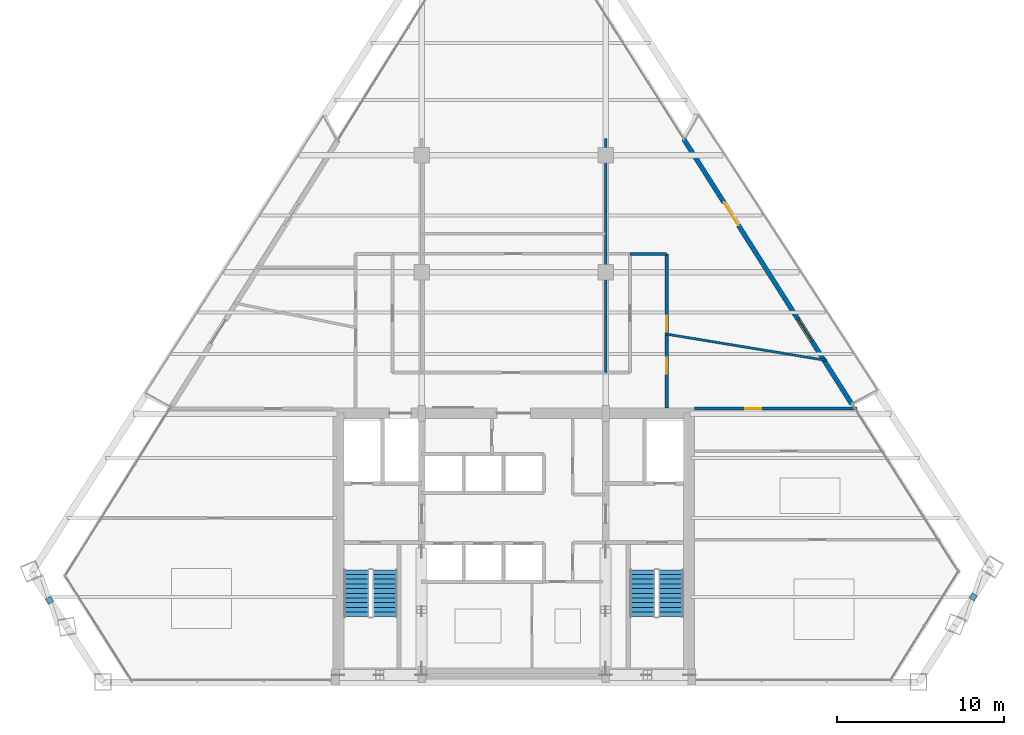
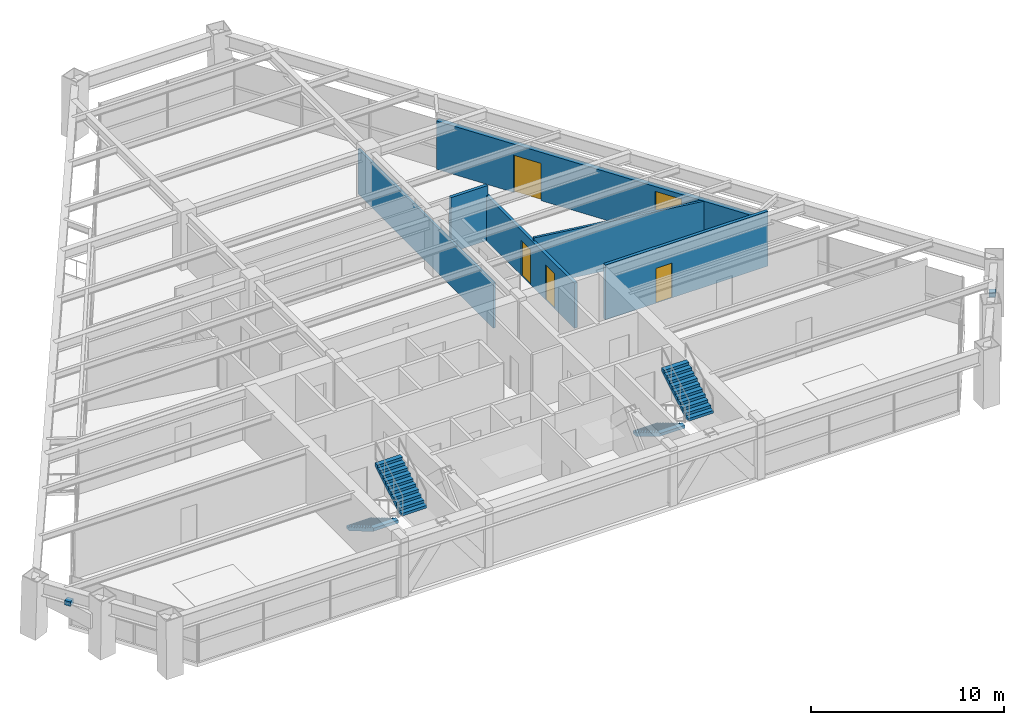
# One storey, part 13 of 15: 6 walls, 4 doors, 4 stair flights, 2 discrete accessories, 1 window, 5 openings, 2 elements without a shape of their own.
"""IFC4 building model written with IfcOpenShell, lengths in metres."""

from ifc_helpers import new_model, si_unit, direction, frame, frame_2d, origin, origin_2d, place, context, subcontext, project, spatial, polyline, rectangle, outline, extrude, source, transform, mapped, material, layer, layer_set, type_object, type_shapes, element, fill, aggregate, save


model = new_model("IFC4")

# Units and contexts
model_context = context("Model", 3, precision=1e-05, world=origin(), true_north=direction((0.0, 1.0)))
body_context = subcontext(model_context, "Body", "Model", "MODEL_VIEW")
ifc_project = project(units=[si_unit("LENGTHUNIT", "METRE"), si_unit("AREAUNIT", "SQUARE_METRE"), si_unit("VOLUMEUNIT", "CUBIC_METRE"), si_unit("PLANEANGLEUNIT", "RADIAN"), si_unit("MASSUNIT", "GRAM", prefix="KILO")], contexts=[model_context])

# Site, building, storey
site_placement = place(None, origin())
site = spatial("IfcSite", under=ifc_project, at=site_placement, CompositionType="ELEMENT")
building_placement = place(site_placement, origin())
building = spatial("IfcBuilding", under=site, at=building_placement, Name="Varnakhor Terracotta Tower", CompositionType="ELEMENT")
storey_placement = place(building_placement, frame((0.0, 0.0, 178.39990234375)))
storey = spatial("IfcBuildingStorey", under=building, at=storey_placement, Name="L45", CompositionType="ELEMENT", Elevation=178.39990234375)

# Wall, openings, doors
ifc_material_1 = material(Name="Fire-Rated Gypsum Stud Partition", Category="gypsum")
ifc_layer_1 = layer(ifc_material_1, 0.18505859375, Name="Fire-Rated Gypsum Stud Partition")
ifc_layer_set_1 = layer_set([ifc_layer_1], Name="Fire-Rated Gypsum Stud Partition")
wall_type_1 = type_object("IfcWallType", Name="WAL-CORR-185", PredefinedType="PARTITIONING", material=ifc_layer_set_1)
wall_1_placement = place(storey_placement, frame((9.14990234375, 16.39990234375, 0.0), z_axis=(0.0, 0.0, 1.0), x_axis=(0.0, 1.0, 0.0)))
wall_1 = element("IfcWall", 1, at=wall_1_placement, inside=storey, type_object=wall_type_1, Name="L45 East Gallery Outer Wall", PredefinedType="PARTITIONING", context=body_context, shape_type="SweptSolid", body=[
    extrude(rectangle(XDim=9.2001953125, YDim=0.18505859375, at=frame_2d((4.60009765625, 0.0))), origin(), (0.0, 0.0, 1.0), 2.84619140625),
])
opening_1_placement = place(wall_1_placement, frame((4.551025390625, 0.0, 0.0)))
opening_1 = element("IfcOpeningElement", 2, at=opening_1_placement, cuts=wall_1, Name="Opening DR-94", PredefinedType="OPENING", context=body_context, shape_type="SweptSolid", body=[
    extrude(rectangle(XDim=0.949951171875, YDim=2.199951171875, at=frame_2d((0.47509765625, 1.10009765625))), frame((0.0, 0.1025390625, 0.0), z_axis=(0.0, -1.0, 0.0), x_axis=(1.0, 0.0, 0.0)), (0.0, 0.0, 1.0), 0.205078125),
])
opening_2_placement = place(wall_1_placement, frame((2.041015625, 0.0, 0.0)))
opening_2 = element("IfcOpeningElement", 3, at=opening_2_placement, cuts=wall_1, Name="Opening DR-94", PredefinedType="OPENING", context=body_context, shape_type="SweptSolid", body=[
    extrude(rectangle(XDim=0.949951171875, YDim=2.199951171875, at=frame_2d((0.47509765625, 1.10009765625))), frame((0.0, 0.1025390625, 0.0), z_axis=(0.0, -1.0, 0.0), x_axis=(1.0, 0.0, 0.0)), (0.0, 0.0, 1.0), 0.205078125),
])
ifc_material_2 = material(Name="Acoustic Glazed-Vision Timber Office Door", Category="wood")
door_type_1 = type_object("IfcDoorType", Name="DR-OFF-950X2200", OperationType="NOTDEFINED", PredefinedType="DOOR", material=ifc_material_2)
shared_shape_1 = source(origin(), body_context, "Body", "SweptSolid", [
    extrude(rectangle(XDim=0.949951171875, YDim=2.199951171875, at=frame_2d((0.47509765625, 1.10009765625))), frame((0.0, 0.02490234375, 0.0), z_axis=(0.0, -1.0, 0.0), x_axis=(1.0, 0.0, 0.0)), (0.0, 0.0, 1.0), 0.050048828125),
])
type_shapes(door_type_1, [shared_shape_1])
door_1_placement = place(opening_1_placement, origin())
door_1 = element("IfcDoor", 4, at=door_1_placement, inside=storey, type_object=door_type_1, Name="L45 East Wing Door", OperationType="SINGLE_SWING_LEFT", OverallHeight=2.199951171875, OverallWidth=0.949951171875, PredefinedType="DOOR", context=body_context, shape_type="MappedRepresentation", body=[
    mapped(shared_shape_1, transform((0.0, 0.0, 0.0), scale=1.0)),
])
fill(opening_1, door_1)
door_2_placement = place(opening_2_placement, origin())
door_2 = element("IfcDoor", 5, at=door_2_placement, inside=storey, type_object=door_type_1, Name="L45 Client Lounge B6 Door", OperationType="SINGLE_SWING_LEFT", OverallHeight=2.199951171875, OverallWidth=0.949951171875, PredefinedType="DOOR", context=body_context, shape_type="MappedRepresentation", body=[
    mapped(shared_shape_1, transform((0.0, 0.0, 0.0), scale=1.0)),
])
fill(opening_2, door_2)

# Wall
wall_2_placement = place(storey_placement, frame((6.949951171875, 25.60009765625, 0.0), z_axis=(0.0, 0.0, 1.0), x_axis=(1.0, 0.0, 0.0)))
element("IfcWall", 6, at=wall_2_placement, inside=storey, type_object=wall_type_1, Name="L45 East Gallery North End", PredefinedType="PARTITIONING", context=body_context, shape_type="SweptSolid", body=[
    extrude(rectangle(XDim=2.199951171875, YDim=0.18505859375, at=frame_2d((1.10009765625, 0.0))), origin(), (0.0, 0.0, 1.0), 3.462158203125),
])

# Wall, opening, door
wall_3_placement = place(storey_placement, frame((10.820068359375, 16.35009765625, 0.0), z_axis=(0.0, 0.0, 1.0), x_axis=(1.0, 0.0, 0.0)))
wall_3 = element("IfcWall", 7, at=wall_3_placement, inside=storey, type_object=wall_type_1, Name="L45 South East Entry Wall", PredefinedType="PARTITIONING", context=body_context, shape_type="SweptSolid", body=[
    extrude(rectangle(XDim=9.71923828125, YDim=0.18505859375, at=frame_2d((4.859619140625, 0.0))), origin(), (0.0, 0.0, 1.0), 3.462158203125),
])
opening_3_placement = place(wall_3_placement, frame((3.02880859375, 0.0, 0.0)))
opening_3 = element("IfcOpeningElement", 8, at=opening_3_placement, cuts=wall_3, Name="Opening DR-94", PredefinedType="OPENING", context=body_context, shape_type="SweptSolid", body=[
    extrude(rectangle(XDim=0.949951171875, YDim=2.199951171875, at=frame_2d((0.47509765625, 1.10009765625))), frame((0.0, 0.1025390625, 0.0), z_axis=(0.0, -1.0, 0.0), x_axis=(1.0, 0.0, 0.0)), (0.0, 0.0, 1.0), 0.205078125),
])
door_3_placement = place(opening_3_placement, origin())
door_3 = element("IfcDoor", 9, at=door_3_placement, inside=storey, type_object=door_type_1, Name="L45 SE Suite Door", OperationType="SINGLE_SWING_LEFT", OverallHeight=2.199951171875, OverallWidth=0.949951171875, PredefinedType="DOOR", context=body_context, shape_type="MappedRepresentation", body=[
    mapped(shared_shape_1, transform((0.0, 0.0, 0.0), scale=1.0)),
])
fill(opening_3, door_3)

# Wall, openings, door, window
ifc_material_3 = material(Name="Extruded Architectural Terracotta Assembly", Category="masonry")
ifc_layer_2 = layer(ifc_material_3, 0.280029296875, Name="Extruded Architectural Terracotta Assembly")
ifc_layer_set_2 = layer_set([ifc_layer_2], Name="Extruded Architectural Terracotta Assembly")
wall_type_2 = type_object("IfcWallType", Name="WAL-EXT-TERRACOTTA-280", PredefinedType="SOLIDWALL", material=ifc_layer_set_2)
wall_4_placement = place(storey_placement, frame((10.16650390625, 32.46337890625, 0.0), z_axis=(0.0, 0.0, 1.0), x_axis=(0.535575528783, -0.844487331444, 0.0)))
wall_4 = element("IfcWall", 10, at=wall_4_placement, inside=storey, type_object=wall_type_2, Name="L45 E Loggia Insulated Terracotta Wall", PredefinedType="SOLIDWALL", context=body_context, shape_type="SweptSolid", body=[
    extrude(rectangle(XDim=18.760009765625, YDim=0.280029296875, at=frame_2d((9.3798828125, 0.0))), origin(), (0.0, 0.0, 1.0), 3.050048828125),
])
opening_4_placement = place(wall_4_placement, frame((4.50244140625, 0.0, 0.0)))
opening_4 = element("IfcOpeningElement", 11, at=opening_4_placement, cuts=wall_4, Name="Opening DR-62", PredefinedType="OPENING", context=body_context, shape_type="SweptSolid", body=[
    extrude(rectangle(XDim=1.60009765625, YDim=2.35009765625, at=frame_2d((0.800048828125, 1.175048828125))), frame((0.0, 0.14990234375, 0.0), z_axis=(0.0, -1.0, 0.0), x_axis=(1.0, 0.0, 0.0)), (0.0, 0.0, 1.0), 0.300048828125),
])
opening_5_placement = place(wall_4_placement, frame((12.7568359375, 0.0, 0.89990234375)))
opening_5 = element("IfcOpeningElement", 12, at=opening_5_placement, cuts=wall_4, Name="Opening WN-57", PredefinedType="OPENING", context=body_context, shape_type="SweptSolid", body=[
    extrude(rectangle(XDim=1.550048828125, YDim=1.85009765625, at=frame_2d((0.77490234375, 0.925048828125))), frame((0.0, 0.14990234375, 0.0), z_axis=(0.0, -1.0, 0.0), x_axis=(1.0, 0.0, 0.0)), (0.0, 0.0, 1.0), 0.300048828125),
])
ifc_material_4 = material(Name="Thermally Broken Sliding Glass Loggia Door", Category="glass")
door_type_2 = type_object("IfcDoorType", Name="DR-EXT-LOGGIA-1600X2350", OperationType="NOTDEFINED", PredefinedType="DOOR", material=ifc_material_4)
shared_shape_2 = source(origin(), body_context, "Body", "SweptSolid", [
    extrude(rectangle(XDim=1.60009765625, YDim=2.35009765625, at=frame_2d((0.800048828125, 1.175048828125))), frame((0.0, 0.02490234375, 0.0), z_axis=(0.0, -1.0, 0.0), x_axis=(1.0, 0.0, 0.0)), (0.0, 0.0, 1.0), 0.050048828125),
])
type_shapes(door_type_2, [shared_shape_2])
door_4_placement = place(opening_4_placement, origin())
door_4 = element("IfcDoor", 13, at=door_4_placement, inside=storey, type_object=door_type_2, Name="L45 E Recessed Loggia Sliding Door", OperationType="SLIDING_TO_RIGHT", OverallHeight=2.35009765625, OverallWidth=1.60009765625, PredefinedType="DOOR", context=body_context, shape_type="MappedRepresentation", body=[
    mapped(shared_shape_2, transform((0.0, 0.0, 0.0), scale=1.0)),
])
fill(opening_4, door_4)
ifc_material_5 = material(Name="Solar-Control Low-E Insulated Glass Unit", Category="glass")
window_type = type_object("IfcWindowType", Name="WIN-OFF-1650X2100", PartitioningType="SINGLE_PANEL", PredefinedType="WINDOW", material=ifc_material_5)
shared_shape_3 = source(origin(), body_context, "Body", "SweptSolid", [
    extrude(rectangle(XDim=1.550048828125, YDim=1.85009765625, at=frame_2d((0.77490234375, 0.925048828125))), frame((0.0, 0.030029296875, 0.0), z_axis=(0.0, -1.0, 0.0), x_axis=(1.0, 0.0, 0.0)), (0.0, 0.0, 1.0), 0.06005859375),
])
type_shapes(window_type, [shared_shape_3])
window_placement = place(opening_5_placement, origin())
window = element("IfcWindow", 14, at=window_placement, inside=storey, type_object=window_type, Name="L45 E Facet Punched Window", OverallHeight=1.85009765625, OverallWidth=1.550048828125, PartitioningType="SINGLE_PANEL", PredefinedType="WINDOW", context=body_context, shape_type="MappedRepresentation", body=[
    mapped(shared_shape_3, transform((0.0, 0.0, 0.0), scale=1.0)),
])
fill(opening_5, window)

# Walls
ifc_material_6 = material(Name="Acoustic Metal-Stud Partition", Category="gypsum")
ifc_layer_3 = layer(ifc_material_6, 0.139892578125, Name="Acoustic Metal-Stud Partition")
ifc_layer_set_3 = layer_set([ifc_layer_3], Name="Acoustic Metal-Stud Partition")
wall_type_3 = type_object("IfcWallType", Name="WAL-PART-140", PredefinedType="PARTITIONING", material=ifc_layer_set_3)
wall_5_placement = place(storey_placement, frame((5.5, 18.5, 0.0), z_axis=(0.0, 0.0, 1.0), x_axis=(0.0, 1.0, 0.0)))
element("IfcWall", 15, at=wall_5_placement, inside=storey, type_object=wall_type_3, Name="L45 Center East Column Wall", PredefinedType="PARTITIONING", context=body_context, shape_type="SweptSolid", body=[
    extrude(rectangle(XDim=14.0, YDim=0.139892578125, at=frame_2d((7.0, 0.0))), origin(), (0.0, 0.0, 1.0), 2.84619140625),
])
wall_6_placement = place(storey_placement, frame((9.14990234375, 20.800048828125, 0.0), z_axis=(0.0, 0.0, 1.0), x_axis=(0.986738202505, -0.162319806916, 0.0)))
element("IfcWall", 16, at=wall_6_placement, inside=storey, type_object=wall_type_3, Name="L45 East Wing Cut 3", PredefinedType="PARTITIONING", context=body_context, shape_type="SweptSolid", body=[
    extrude(rectangle(XDim=9.69384765625, YDim=0.139892578125, at=frame_2d((4.846923828125, 0.0))), origin(), (0.0, 0.0, 1.0), 3.049072265625),
])

# Stair, stair flights
ifc_material_7 = material(Name="Concrete C40/50", Category="concrete")
stair_type = type_object("IfcStairType", Name="STR-CORE-OFFICE-1500", PredefinedType="HALF_TURN_STAIR", material=ifc_material_7)
stair_1_placement = place(storey_placement, origin())
stair_1 = element("IfcStair", 17, at=stair_1_placement, inside=storey, type_object=stair_type, Name="L45 Core Exit Stair ST-1", PredefinedType="HALF_TURN_STAIR")
stair_flight_type = type_object("IfcStairFlightType", Name="FLT-CORE-1500", PredefinedType="STRAIGHT", material=ifc_material_7)
stair_flight_1_placement = place(storey_placement, frame((-9.39990234375, 6.7099609375, 0.0), z_axis=(0.0, 0.0, 1.0), x_axis=(0.0, -1.0, 0.0)))
stair_flight_1 = element("IfcStairFlight", 18, at=stair_flight_1_placement, type_object=stair_flight_type, Name="ST-1 flight 1", NumberOfRisers=11, NumberOfTreads=10, PredefinedType="STRAIGHT", RiserHeight=0.168181818, TreadLength=0.28, context=body_context, shape_type="SweptSolid", body=[
    extrude(outline(polyline([(0.0, 0.0), (0.0, 0.168212890625), (0.280029296875, 0.168212890625), (0.280029296875, 0.33642578125), (0.56005859375, 0.33642578125), (0.56005859375, 0.504638671875), (0.840087890625, 0.504638671875), (0.840087890625, 0.672607421875), (1.1201171875, 0.672607421875), (1.1201171875, 0.8408203125), (1.39990234375, 0.8408203125), (1.39990234375, 1.009033203125), (1.679931640625, 1.009033203125), (1.679931640625, 1.17724609375), (1.9599609375, 1.17724609375), (1.9599609375, 1.345458984375), (2.239990234375, 1.345458984375), (2.239990234375, 1.513671875), (2.52001953125, 1.513671875), (2.52001953125, 1.681884765625), (2.800048828125, 1.681884765625), (2.800048828125, 1.85009765625), (2.800048828125, 1.495361328125), (0.310546875, 0.0), (0.0, 0.0)])), frame((0.0, 0.75, 0.0), z_axis=(0.0, -1.0, 0.0), x_axis=(1.0, 0.0, 0.0)), (0.0, 0.0, 1.0), 1.5),
])
stair_flight_2_placement = place(storey_placement, frame((-7.699951171875, 3.909912109375, 1.85009765625), z_axis=(0.0, 0.0, 1.0), x_axis=(0.0, 1.0, 0.0)))
stair_flight_2 = element("IfcStairFlight", 19, at=stair_flight_2_placement, type_object=stair_flight_type, Name="ST-1 flight 2", NumberOfRisers=11, NumberOfTreads=10, PredefinedType="STRAIGHT", RiserHeight=0.168181818, TreadLength=0.28, context=body_context, shape_type="SweptSolid", body=[
    extrude(outline(polyline([(0.0, 0.0), (0.0, 0.168212890625), (0.280029296875, 0.168212890625), (0.280029296875, 0.33642578125), (0.56005859375, 0.33642578125), (0.56005859375, 0.504638671875), (0.840087890625, 0.504638671875), (0.840087890625, 0.672607421875), (1.1201171875, 0.672607421875), (1.1201171875, 0.8408203125), (1.39990234375, 0.8408203125), (1.39990234375, 1.009033203125), (1.679931640625, 1.009033203125), (1.679931640625, 1.17724609375), (1.9599609375, 1.17724609375), (1.9599609375, 1.345458984375), (2.239990234375, 1.345458984375), (2.239990234375, 1.513671875), (2.52001953125, 1.513671875), (2.52001953125, 1.681884765625), (2.800048828125, 1.681884765625), (2.800048828125, 1.85009765625), (2.800048828125, 1.495361328125), (0.310546875, 0.0), (0.0, 0.0)])), frame((0.0, 0.75, 0.0), z_axis=(0.0, -1.0, 0.0), x_axis=(1.0, 0.0, 0.0)), (0.0, 0.0, 1.0), 1.5),
])
aggregate(stair_1, [stair_flight_1, stair_flight_2])

stair_2_placement = place(storey_placement, origin())
stair_2 = element("IfcStair", 20, at=stair_2_placement, inside=storey, type_object=stair_type, Name="L45 Core Exit Stair ST-2", PredefinedType="HALF_TURN_STAIR")
stair_flight_3_placement = place(storey_placement, frame((7.699951171875, 6.7099609375, 0.0), z_axis=(0.0, 0.0, 1.0), x_axis=(0.0, -1.0, 0.0)))
stair_flight_3 = element("IfcStairFlight", 21, at=stair_flight_3_placement, type_object=stair_flight_type, Name="ST-2 flight 1", NumberOfRisers=11, NumberOfTreads=10, PredefinedType="STRAIGHT", RiserHeight=0.168181818, TreadLength=0.28, context=body_context, shape_type="SweptSolid", body=[
    extrude(outline(polyline([(0.0, 0.0), (0.0, 0.168212890625), (0.280029296875, 0.168212890625), (0.280029296875, 0.33642578125), (0.56005859375, 0.33642578125), (0.56005859375, 0.504638671875), (0.840087890625, 0.504638671875), (0.840087890625, 0.672607421875), (1.1201171875, 0.672607421875), (1.1201171875, 0.8408203125), (1.39990234375, 0.8408203125), (1.39990234375, 1.009033203125), (1.679931640625, 1.009033203125), (1.679931640625, 1.17724609375), (1.9599609375, 1.17724609375), (1.9599609375, 1.345458984375), (2.239990234375, 1.345458984375), (2.239990234375, 1.513671875), (2.52001953125, 1.513671875), (2.52001953125, 1.681884765625), (2.800048828125, 1.681884765625), (2.800048828125, 1.85009765625), (2.800048828125, 1.495361328125), (0.310546875, 0.0), (0.0, 0.0)])), frame((0.0, 0.75, 0.0), z_axis=(0.0, -1.0, 0.0), x_axis=(1.0, 0.0, 0.0)), (0.0, 0.0, 1.0), 1.5),
])
stair_flight_4_placement = place(storey_placement, frame((9.39990234375, 3.909912109375, 1.85009765625), z_axis=(0.0, 0.0, 1.0), x_axis=(0.0, 1.0, 0.0)))
stair_flight_4 = element("IfcStairFlight", 22, at=stair_flight_4_placement, type_object=stair_flight_type, Name="ST-2 flight 2", NumberOfRisers=11, NumberOfTreads=10, PredefinedType="STRAIGHT", RiserHeight=0.168181818, TreadLength=0.28, context=body_context, shape_type="SweptSolid", body=[
    extrude(outline(polyline([(0.0, 0.0), (0.0, 0.168212890625), (0.280029296875, 0.168212890625), (0.280029296875, 0.33642578125), (0.56005859375, 0.33642578125), (0.56005859375, 0.504638671875), (0.840087890625, 0.504638671875), (0.840087890625, 0.672607421875), (1.1201171875, 0.672607421875), (1.1201171875, 0.8408203125), (1.39990234375, 0.8408203125), (1.39990234375, 1.009033203125), (1.679931640625, 1.009033203125), (1.679931640625, 1.17724609375), (1.9599609375, 1.17724609375), (1.9599609375, 1.345458984375), (2.239990234375, 1.345458984375), (2.239990234375, 1.513671875), (2.52001953125, 1.513671875), (2.52001953125, 1.681884765625), (2.800048828125, 1.681884765625), (2.800048828125, 1.85009765625), (2.800048828125, 1.495361328125), (0.310546875, 0.0), (0.0, 0.0)])), frame((0.0, 0.75, 0.0), z_axis=(0.0, -1.0, 0.0), x_axis=(1.0, 0.0, 0.0)), (0.0, 0.0, 1.0), 1.5),
])
aggregate(stair_2, [stair_flight_3, stair_flight_4])

# Discrete accessories
ifc_material_8 = material(Name="Stainless Steel Fixing Bracket", Category="steel")
discrete_accessory_type = type_object("IfcDiscreteAccessoryType", Name="BRACKET-TERRACOTTA-SCREEN", PredefinedType="BRACKET", material=ifc_material_8)
shared_shape_4 = source(origin(), body_context, "Body", "SweptSolid", [
    extrude(rectangle(XDim=0.35009765625, YDim=0.35009765625, at=origin_2d()), origin(), (0.0, 0.0, 1.0), 0.280029296875),
])
type_shapes(discrete_accessory_type, [shared_shape_4])
for number, where, z_axis, x_axis, name in (
    (23, (27.478271484375, 5.095947265625, 2.48486328125), (0.0, 0.0, 1.0), (0.539035422641, 0.842283095603, 0.0), "L45 E Screen Fixing Bracket"),
    (24, (-27.748779296875, 4.89208984375, 2.48486328125), (0.0, 0.0, 1.0), (0.545136616225, -0.838347224991, 0.0), "L45 W Screen Fixing Bracket"),
):
    element("IfcDiscreteAccessory", number, at=place(storey_placement, frame(where, z_axis=z_axis, x_axis=x_axis)), inside=storey, type_object=discrete_accessory_type, Name=name, PredefinedType="BRACKET", context=body_context, shape_type="MappedRepresentation", body=[
        mapped(shared_shape_4, transform((0.0, 0.0, 0.0), scale=1.0)),
    ])

save(model, "model.ifc")
